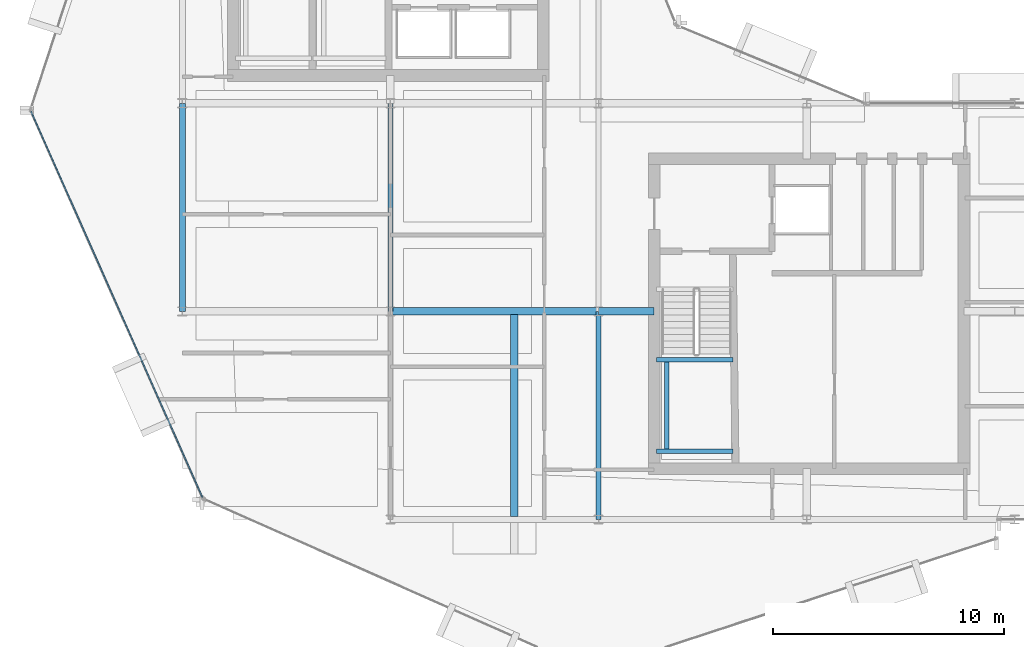
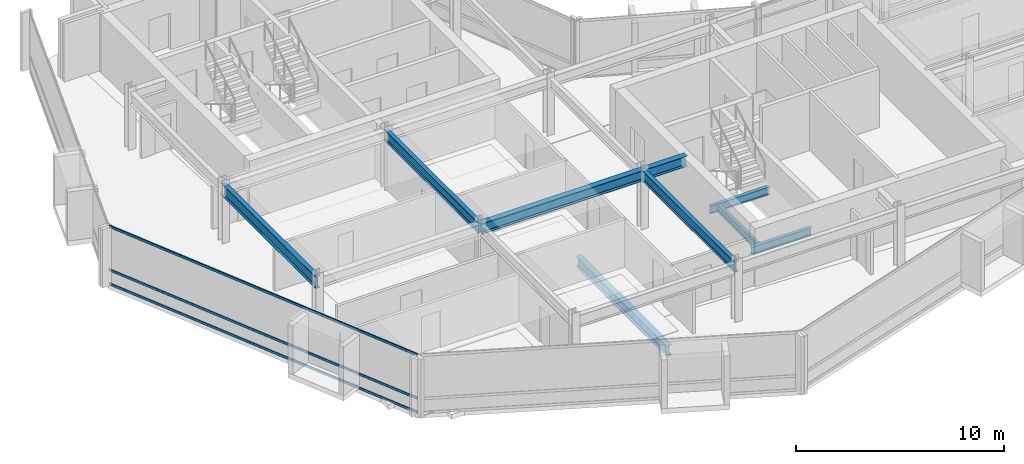
# One storey, part 5 of 28: 9 beams, 3 members, 1 element without a shape of its own.
"""IFC4 building model written with IfcOpenShell, lengths in metres."""

from ifc_helpers import new_model, si_unit, direction, frame, origin, origin_2d, place, context, subcontext, project, spatial, hollow_rectangle, i_section, extrude, material, layer, layer_set, material_profile, profile_set, type_object, element, aggregate, save


model = new_model("IFC4")

# Units and contexts
model_context = context("Model", 3, precision=1e-05, world=origin(), true_north=direction((0.0, 1.0)))
body_context = subcontext(model_context, "Body", "Model", "MODEL_VIEW")
ifc_project = project(units=[si_unit("LENGTHUNIT", "METRE"), si_unit("AREAUNIT", "SQUARE_METRE"), si_unit("VOLUMEUNIT", "CUBIC_METRE"), si_unit("PLANEANGLEUNIT", "RADIAN"), si_unit("MASSUNIT", "GRAM", prefix="KILO")], contexts=[model_context])

# Site, building, storey
site_placement = place(None, origin())
site = spatial("IfcSite", under=ifc_project, at=site_placement, CompositionType="ELEMENT")
building_placement = place(site_placement, origin())
building = spatial("IfcBuilding", under=site, at=building_placement, Name="Solvaryn Broadcast Tower", CompositionType="ELEMENT")
storey_placement = place(building_placement, frame((0.0, 0.0, 209.89990234375)))
storey = spatial("IfcBuildingStorey", under=building, at=storey_placement, Name="L52", CompositionType="ELEMENT", Elevation=209.89990234375)

# Beams
ifc_material_1 = material(Name="Steel ASTM A992 Grade 50", Category="steel")
ifc_material_profile_1 = material_profile(ifc_material_1, i_section(OverallWidth=0.323974609375, OverallDepth=0.611083984375, WebThickness=0.0126953125, FlangeThickness=0.01904296875, FilletRadius=0.014892578125, at=origin_2d()))
ifc_profile_set_1 = profile_set([ifc_material_profile_1], Name="Steel ASTM A992 Grade 50")
beam_type_1 = type_object("IfcBeamType", Name="BM-B1-W24X104", PredefinedType="BEAM", material=ifc_profile_set_1)
beam_1_placement = place(storey_placement, frame((23.35009765625, 17.875, -0.58544921875), z_axis=(0.0, -1.0, 0.0), x_axis=(1.0, 0.0, 0.0)))
element("IfcBeam", 1, at=beam_1_placement, inside=storey, type_object=beam_type_1, Name="L52 Bay-Box Back-Span Beam 1", PredefinedType="BEAM", context=body_context, shape_type="SweptSolid", body=[
    extrude(i_section(OverallWidth=0.323974609375, OverallDepth=0.611083984375, WebThickness=0.0126953125, FlangeThickness=0.01904296875, FilletRadius=0.014892578125, at=origin_2d()), origin(), (0.0, 0.0, 1.0), 8.75),
])
beam_2_placement = place(storey_placement, frame((18.0, 18.0, 3.114501953125), z_axis=(1.0, 0.0, 0.0), x_axis=(0.0, 1.0, 0.0)))
element("IfcBeam", 2, at=beam_2_placement, inside=storey, type_object=beam_type_1, Name="L52 Primary Beam X (18-27 @ Y=18)", PredefinedType="BEAM", context=body_context, shape_type="SweptSolid", body=[
    extrude(i_section(OverallWidth=0.323974609375, OverallDepth=0.611083984375, WebThickness=0.0126953125, FlangeThickness=0.01904296875, FilletRadius=0.014892578125, at=origin_2d()), origin(), (0.0, 0.0, 1.0), 9.0),
])
beam_3_placement = place(storey_placement, frame((27.0, 18.0, 3.114501953125), z_axis=(1.0, 0.0, 0.0), x_axis=(0.0, 1.0, 0.0)))
element("IfcBeam", 3, at=beam_3_placement, inside=storey, type_object=beam_type_1, Name="L52 Core Tie Beam CTE4", PredefinedType="BEAM", context=body_context, shape_type="SweptSolid", body=[
    extrude(i_section(OverallWidth=0.323974609375, OverallDepth=0.611083984375, WebThickness=0.0126953125, FlangeThickness=0.01904296875, FilletRadius=0.014892578125, at=origin_2d()), origin(), (0.0, 0.0, 1.0), 2.39990234375),
])
ifc_material_2 = material(Name="Steel ASTM A992 Grade 50", Category="steel")
ifc_material_profile_2 = material_profile(ifc_material_2, i_section(OverallWidth=0.22802734375, OverallDepth=0.60791015625, WebThickness=0.01123046875, FlangeThickness=0.017333984375, FilletRadius=0.014892578125, at=origin_2d()))
ifc_profile_set_2 = profile_set([ifc_material_profile_2], Name="Steel ASTM A992 Grade 50")
beam_type_2 = type_object("IfcBeamType", Name="BM-B2-W24X76", PredefinedType="BEAM", material=ifc_profile_set_2)
for number, where, z_axis, x_axis, name in (
    (4, (18.0, 18.0, 3.1162109375), (0.0, 1.0, 0.0), (-1.0, 0.0, 0.0), "L52 Primary Beam Y (18-27 @ X=18)"),
    (5, (27.0, 9.0, 3.1162109375), (0.0, 1.0, 0.0), (-1.0, 0.0, 0.0), "L52 Primary Beam Y (9-18 @ X=27)"),
):
    element("IfcBeam", number, at=place(storey_placement, frame(where, z_axis=z_axis, x_axis=x_axis)), inside=storey, type_object=beam_type_2, Name=name, PredefinedType="BEAM", context=body_context, shape_type="SweptSolid", body=[
        extrude(i_section(OverallWidth=0.22802734375, OverallDepth=0.60791015625, WebThickness=0.01123046875, FlangeThickness=0.017333984375, FilletRadius=0.014892578125, at=origin_2d()), origin(), (0.0, 0.0, 1.0), 9.0),
    ])
ifc_material_3 = material(Name="Steel ASTM A992 Grade 50", Category="steel")
ifc_material_profile_3 = material_profile(ifc_material_3, i_section(OverallWidth=0.18994140625, OverallDepth=0.45703125, WebThickness=0.009033203125, FlangeThickness=0.014404296875, FilletRadius=0.011962890625, at=origin_2d()))
ifc_profile_set_3 = profile_set([ifc_material_profile_3], Name="Steel ASTM A992 Grade 50")
beam_type_3 = type_object("IfcBeamType", Name="BM-B4-W18X50", PredefinedType="BEAM", material=ifc_profile_set_3)
for number, where, z_axis, x_axis, name in (
    (6, (29.5, 11.949951171875, 1.421630859375), (1.0, 0.0, 0.0), (0.0, 1.0, 0.0), "L52 ST3 Landing Support Beam 1A"),
    (7, (29.5, 15.909912109375, 1.421630859375), (1.0, 0.0, 0.0), (0.0, 1.0, 0.0), "L52 ST3 Landing Support Beam 1B"),
):
    element("IfcBeam", number, at=place(storey_placement, frame(where, z_axis=z_axis, x_axis=x_axis)), inside=storey, type_object=beam_type_3, Name=name, PredefinedType="BEAM", context=body_context, shape_type="SweptSolid", body=[
        extrude(i_section(OverallWidth=0.18994140625, OverallDepth=0.45703125, WebThickness=0.009033203125, FlangeThickness=0.014404296875, FilletRadius=0.011962890625, at=origin_2d()), origin(), (0.0, 0.0, 1.0), 3.320068359375),
    ])
beam_4_placement = place(storey_placement, frame((29.949951171875, 11.949951171875, 1.421630859375), z_axis=(0.0, 1.0, 0.0), x_axis=(-1.0, 0.0, 0.0)))
element("IfcBeam", 8, at=beam_4_placement, inside=storey, type_object=beam_type_3, Name="L52 ST3 Landing Cross Stringer 1C", PredefinedType="BEAM", context=body_context, shape_type="SweptSolid", body=[
    extrude(i_section(OverallWidth=0.18994140625, OverallDepth=0.45703125, WebThickness=0.009033203125, FlangeThickness=0.014404296875, FilletRadius=0.011962890625, at=origin_2d()), origin(), (0.0, 0.0, 1.0), 3.9599609375),
])
ifc_material_4 = material(Name="Steel ASTM A992 Grade 50", Category="steel")
ifc_material_profile_4 = material_profile(ifc_material_4, i_section(OverallWidth=0.256103515625, OverallDepth=0.693115234375, WebThickness=0.014404296875, FlangeThickness=0.023681640625, FilletRadius=0.01611328125, at=origin_2d()))
ifc_profile_set_4 = profile_set([ifc_material_profile_4], Name="Steel ASTM A992 Grade 50")
beam_type_4 = type_object("IfcBeamType", Name="BM-SP3-W27X114", PredefinedType="USERDEFINED", material=ifc_profile_set_4)
beam_5_placement = place(storey_placement, frame((9.0, 18.0, 3.073486328125), z_axis=(0.0, 1.0, 0.0), x_axis=(-1.0, 0.0, 0.0)))
element("IfcBeam", 9, at=beam_5_placement, inside=storey, type_object=beam_type_4, Name="L52 Spandrel Beam Y (18-27 @ X=9)", ObjectType="SPANDREL", PredefinedType="USERDEFINED", context=body_context, shape_type="SweptSolid", body=[
    extrude(i_section(OverallWidth=0.256103515625, OverallDepth=0.693115234375, WebThickness=0.014404296875, FlangeThickness=0.023681640625, FilletRadius=0.01611328125, at=origin_2d()), origin(), (0.0, 0.0, 1.0), 9.0),
])

# Curtain wall, members
ifc_material_5 = material(Name="Aluminium and Terracotta Unitised Curtain Wall", Category="masonry")
ifc_layer = layer(ifc_material_5, 0.239990234375)
ifc_layer_set = layer_set([ifc_layer], Name="CW-SYS3-BAYBOX")
curtain_wall_type = type_object("IfcCurtainWallType", Name="CW-SYS3-BAYBOX", PredefinedType="NOTDEFINED", material=ifc_layer_set)
curtain_wall_placement = place(storey_placement, origin())
curtain_wall = element("IfcCurtainWall", 10, at=curtain_wall_placement, inside=storey, type_object=curtain_wall_type, Name="L52 Curtain Wall DR2", PredefinedType="NOTDEFINED")
ifc_material_6 = material(Name="Anodised Aluminium 6063-T6", Category="aluminium")
ifc_material_profile_5 = material_profile(ifc_material_6, hollow_rectangle(XDim=0.06494140625, YDim=0.14990234375, WallThickness=0.00390625, InnerFilletRadius=0.00390625, OuterFilletRadius=0.008056640625, at=origin_2d()))
ifc_profile_set_5 = profile_set([ifc_material_profile_5], Name="Anodised Aluminium 6063-T6")
member_type = type_object("IfcMemberType", Name="CW-TRN-150", PredefinedType="USERDEFINED", material=ifc_profile_set_5)
member_1_placement = place(storey_placement, frame((2.457275390625, 26.651123046875, 0.030029296875), z_axis=(0.405901653299, -0.913916761992, 0.0), x_axis=(0.913916761992, 0.405901653299, 0.0)))
member_1 = element("IfcMember", 11, at=member_1_placement, type_object=member_type, Name="CWS3 transom 1.1", ObjectType="TRANSOM", PredefinedType="USERDEFINED", context=body_context, shape_type="SweptSolid", body=[
    extrude(hollow_rectangle(XDim=0.06494140625, YDim=0.14990234375, WallThickness=0.00390625, InnerFilletRadius=0.00390625, OuterFilletRadius=0.008056640625, at=origin_2d()), origin(), (0.0, 0.0, 1.0), 18.27099609375),
])
member_2_placement = place(storey_placement, frame((2.457275390625, 26.651123046875, 0.85009765625), z_axis=(0.405901653299, -0.913916761992, 0.0), x_axis=(0.913916761992, 0.405901653299, 0.0)))
member_2 = element("IfcMember", 12, at=member_2_placement, type_object=member_type, Name="CWS3 transom 1.2", ObjectType="TRANSOM", PredefinedType="USERDEFINED", context=body_context, shape_type="SweptSolid", body=[
    extrude(hollow_rectangle(XDim=0.06494140625, YDim=0.14990234375, WallThickness=0.00390625, InnerFilletRadius=0.00390625, OuterFilletRadius=0.008056640625, at=origin_2d()), origin(), (0.0, 0.0, 1.0), 18.27099609375),
])
member_3_placement = place(storey_placement, frame((2.457275390625, 26.651123046875, 3.39013671875), z_axis=(0.405901653299, -0.913916761992, 0.0), x_axis=(0.913916761992, 0.405901653299, 0.0)))
member_3 = element("IfcMember", 13, at=member_3_placement, type_object=member_type, Name="CWS3 transom 1.3", ObjectType="TRANSOM", PredefinedType="USERDEFINED", context=body_context, shape_type="SweptSolid", body=[
    extrude(hollow_rectangle(XDim=0.06494140625, YDim=0.14990234375, WallThickness=0.00390625, InnerFilletRadius=0.00390625, OuterFilletRadius=0.008056640625, at=origin_2d()), origin(), (0.0, 0.0, 1.0), 18.27099609375),
])
aggregate(curtain_wall, [member_1, member_2, member_3])

save(model, "model.ifc")
